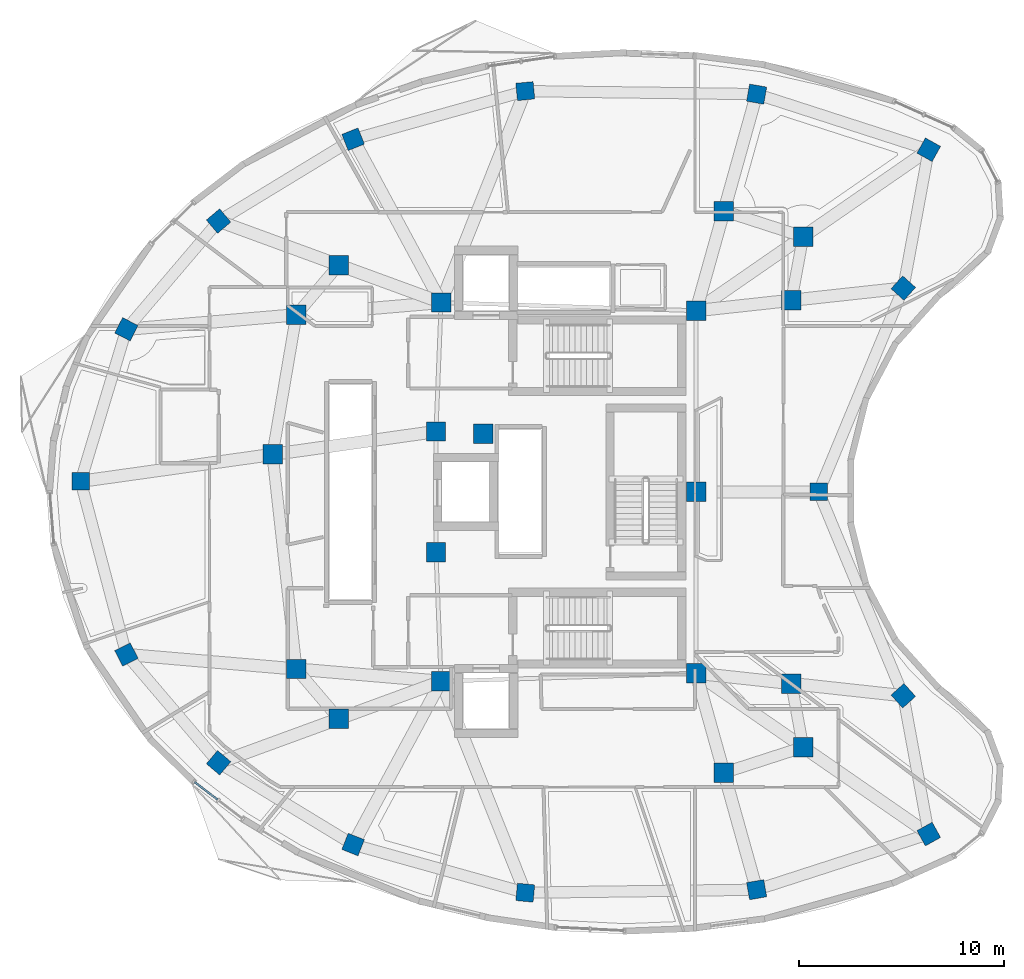
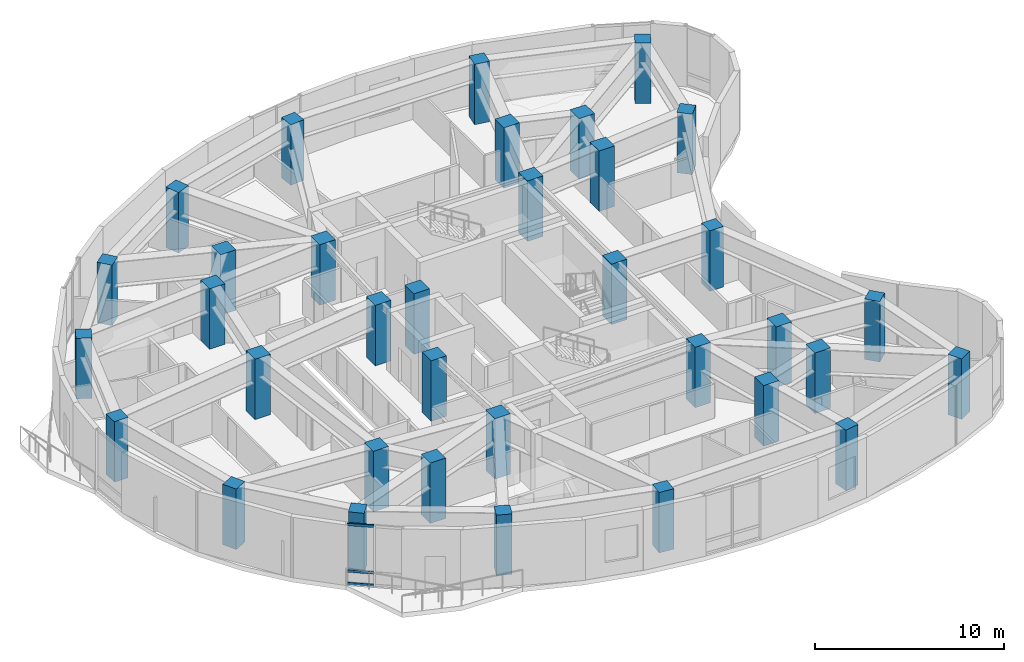
# One storey, part 1 of 13: 35 columns, 3 members, 1 element without a shape of its own.
"""IFC4 building model written with IfcOpenShell, lengths in metres."""

from ifc_helpers import new_model, si_unit, direction, frame, origin, origin_2d, place, context, subcontext, project, spatial, rectangle, extrude, material, layer, layer_set, material_profile, profile_set, type_object, element, aggregate, save


model = new_model("IFC4")

# Units and contexts
model_context = context("Model", 3, precision=1e-05, world=origin(), true_north=direction((0.0, 1.0)))
body_context = subcontext(model_context, "Body", "Model", "MODEL_VIEW")
ifc_project = project(units=[si_unit("LENGTHUNIT", "METRE"), si_unit("AREAUNIT", "SQUARE_METRE"), si_unit("VOLUMEUNIT", "CUBIC_METRE"), si_unit("PLANEANGLEUNIT", "RADIAN"), si_unit("MASSUNIT", "GRAM", prefix="KILO")], contexts=[model_context])

# Site, building, storey
site_placement = place(None, origin())
site = spatial("IfcSite", under=ifc_project, at=site_placement, CompositionType="ELEMENT")
building_placement = place(site_placement, origin())
building = spatial("IfcBuilding", under=site, at=building_placement, Name="Korentha Bioscience Tower", CompositionType="ELEMENT")
storey_placement = place(building_placement, frame((0.0, 0.0, 256.199951171875)))
storey = spatial("IfcBuildingStorey", under=building, at=storey_placement, Name="L59", CompositionType="ELEMENT", Elevation=256.199951171875)

# Columns
ifc_material_1 = material(Name="Concrete C65", Category="concrete")
ifc_material_profile_1 = material_profile(ifc_material_1, rectangle(XDim=0.949951171875, YDim=0.949951171875, at=origin_2d()), Name="Concrete C65")
ifc_profile_set_1 = profile_set([ifc_material_profile_1], Name="Concrete C65 (COL-CP09)")
column_type_1 = type_object("IfcColumnType", Name="Core Pilaster Column RC 950x950", PredefinedType="PILASTER", material=ifc_profile_set_1)
for number, where, z_axis, x_axis, name in (
    (1, (37.550048828125, 35.85009765625, -0.00048828125), (0.0, 0.0, 1.0), (1.0, 0.0, 0.0), "L59 Core Pilaster CP-01"),
    (2, (25.10009765625, 36.25, -0.00048828125), (0.0, 0.0, 1.0), (1.0, 0.0, 0.0), "L59 Core Pilaster CP-02"),
    (3, (24.85009765625, 29.949951171875, -0.00048828125), (0.0, 0.0, 1.0), (1.0, 0.0, 0.0), "L59 Core Pilaster CP-03"),
    (4, (27.14990234375, 29.85009765625, -0.00048828125), (0.0, 0.0, 1.0), (1.0, 0.0, 0.0), "L59 Core Pilaster CP-04"),
    (5, (24.85009765625, 24.050048828125, -0.00048828125), (0.0, 0.0, 1.0), (1.0, 0.0, 0.0), "L59 Core Pilaster CP-05"),
    (6, (25.10009765625, 17.75, -0.00048828125), (0.0, 0.0, 1.0), (1.0, 0.0, 0.0), "L59 Core Pilaster CP-06"),
    (7, (37.550048828125, 18.14990234375, -0.00048828125), (0.0, 0.0, 1.0), (1.0, 0.0, 0.0), "L59 Core Pilaster CP-07"),
    (8, (37.550048828125, 27.0, -0.00048828125), (0.0, 0.0, 1.0), (1.0, 0.0, 0.0), "L59 Core Pilaster CP-08"),
):
    element("IfcColumn", number, at=place(storey_placement, frame(where, z_axis=z_axis, x_axis=x_axis)), inside=storey, type_object=column_type_1, Name=name, PredefinedType="PILASTER", context=body_context, shape_type="SweptSolid", body=[
        extrude(rectangle(XDim=0.949951171875, YDim=0.949951171875, at=origin_2d()), origin(), (0.0, 0.0, 1.0), 3.901123046875),
    ])
ifc_material_profile_2 = material_profile(ifc_material_1, rectangle(XDim=0.949951171875, YDim=0.949951171875, at=origin_2d()), Name="Concrete C65")
ifc_profile_set_2 = profile_set([ifc_material_profile_2], Name="Concrete C65 (COL-MR09)")
column_type_2 = type_object("IfcColumnType", Name="Mid-Ring Lab Column RC 950x950", PredefinedType="COLUMN", material=ifc_profile_set_2)
for number, where, z_axis, x_axis, name in (
    (9, (42.77685546875, 39.464599609375, -0.00048828125), (0.0, 0.0, 1.0), (1.0, 0.0, 0.0), "L59 Mid-Ring Column 01"),
    (10, (38.9111328125, 40.714111328125, -0.00048828125), (0.0, 0.0, 1.0), (1.0, 0.0, 0.0), "L59 Mid-Ring Column 02"),
    (11, (20.102294921875, 38.07861328125, -0.00048828125), (0.0, 0.0, 1.0), (1.0, 0.0, 0.0), "L59 Mid-Ring Column 05"),
    (12, (18.03125, 35.6474609375, -0.00048828125), (0.0, 0.0, 1.0), (1.0, 0.0, 0.0), "L59 Mid-Ring Column 06"),
    (13, (16.868408203125, 28.830322265625, -0.00048828125), (0.0, 0.0, 1.0), (1.0, 0.0, 0.0), "L59 Mid-Ring Column 07"),
    (14, (18.03125, 18.3525390625, -0.00048828125), (0.0, 0.0, 1.0), (1.0, 0.0, 0.0), "L59 Mid-Ring Column 08"),
    (15, (20.102294921875, 15.92138671875, -0.00048828125), (0.0, 0.0, 1.0), (1.0, 0.0, 0.0), "L59 Mid-Ring Column 09"),
    (16, (38.9111328125, 13.285888671875, -0.00048828125), (0.0, 0.0, 1.0), (1.0, 0.0, 0.0), "L59 Mid-Ring Column 12"),
    (17, (42.77685546875, 14.535400390625, -0.00048828125), (0.0, 0.0, 1.0), (1.0, 0.0, 0.0), "L59 Mid-Ring Column 13"),
    (18, (42.205078125, 17.642822265625, -0.00048828125), (0.0, 0.0, 1.0), (1.0, 0.0, 0.0), "L59 Mid-Ring Column 14"),
    (19, (42.205078125, 36.357177734375, -0.00048828125), (0.0, 0.0, 1.0), (1.0, 0.0, 0.0), "L59 Mid-Ring Column 16"),
):
    element("IfcColumn", number, at=place(storey_placement, frame(where, z_axis=z_axis, x_axis=x_axis)), inside=storey, type_object=column_type_2, Name=name, PredefinedType="COLUMN", context=body_context, shape_type="SweptSolid", body=[
        extrude(rectangle(XDim=0.949951171875, YDim=0.949951171875, at=origin_2d()), origin(), (0.0, 0.0, 1.0), 3.901123046875),
    ])
ifc_material_2 = material(Name="Concrete C50", Category="concrete")
ifc_material_profile_3 = material_profile(ifc_material_2, rectangle(XDim=0.85009765625, YDim=0.85009765625, at=origin_2d()), Name="Concrete C50")
ifc_profile_set_3 = profile_set([ifc_material_profile_3], Name="Concrete C50 (COL-P08)")
column_type_3 = type_object("IfcColumnType", Name="Perimeter Column RC 850x850", PredefinedType="COLUMN", material=ifc_profile_set_3)
for number, where, z_axis, x_axis, name in (
    (20, (48.912841796875, 43.707763671875, -0.00048828125), (0.0, 0.0, 1.0), (-0.874535078577, 0.484962262797, 0.0), "L59 Perimeter Column 01"),
    (21, (40.5087890625, 46.423828125, -0.00048828125), (0.0, 0.0, 1.0), (-0.984868307662, 0.173304404339, 0.0), "L59 Perimeter Column 02"),
    (22, (29.209716796875, 46.57080078125, -0.00048828125), (0.0, 0.0, 1.0), (0.995462868748, 0.095150811579, 0.0), "L59 Perimeter Column 03"),
    (23, (20.802978515625, 44.220458984375, -0.00048828125), (0.0, 0.0, 1.0), (0.930225540858, 0.366988341962, 0.0), "L59 Perimeter Column 04"),
    (24, (14.2353515625, 40.225341796875, -0.00048828125), (0.0, 0.0, 1.0), (0.764246456939, 0.644924300253, 0.0), "L59 Perimeter Column 05"),
    (25, (9.7333984375, 34.93994140625, -0.00048828125), (0.0, 0.0, 1.0), (0.453057191132, 0.891481453292, 0.0), "L59 Perimeter Column 06"),
    (26, (7.4990234375, 27.51611328125, -0.00048828125), (0.0, 0.0, 1.0), (0.0, 1.0, 0.0), "L59 Perimeter Column 07"),
    (27, (9.7333984375, 19.06005859375, -0.00048828125), (0.0, 0.0, 1.0), (-0.453057191132, 0.891481453292, 0.0), "L59 Perimeter Column 08"),
    (28, (14.2353515625, 13.774658203125, -0.00048828125), (0.0, 0.0, 1.0), (-0.764246456939, 0.644924300253, 0.0), "L59 Perimeter Column 09"),
    (29, (20.802978515625, 9.779541015625, -0.00048828125), (0.0, 0.0, 1.0), (-0.930225540858, 0.366988341962, 0.0), "L59 Perimeter Column 10"),
    (30, (29.209716796875, 7.42919921875, -0.00048828125), (0.0, 0.0, 1.0), (-0.995462868748, 0.095150811579, 0.0), "L59 Perimeter Column 11"),
    (31, (40.5087890625, 7.576171875, -0.00048828125), (0.0, 0.0, 1.0), (0.984868307662, 0.173304404339, 0.0), "L59 Perimeter Column 12"),
    (32, (48.912841796875, 10.292236328125, -0.00048828125), (0.0, 0.0, 1.0), (0.874535078577, 0.484962262797, 0.0), "L59 Perimeter Column 13"),
    (33, (47.669921875, 17.04736328125, -0.00048828125), (0.0, 0.0, 1.0), (-0.669130606359, 0.743144825477, 0.0), "L59 Perimeter Column 14"),
    (34, (43.536865234375, 27.0, -0.00048828125), (0.0, 0.0, 1.0), (0.0, 1.0, 0.0), "L59 Perimeter Column 15"),
    (35, (47.669921875, 36.95263671875, -0.00048828125), (0.0, 0.0, 1.0), (0.669130606359, 0.743144825477, 0.0), "L59 Perimeter Column 16"),
):
    element("IfcColumn", number, at=place(storey_placement, frame(where, z_axis=z_axis, x_axis=x_axis)), inside=storey, type_object=column_type_3, Name=name, PredefinedType="COLUMN", context=body_context, shape_type="SweptSolid", body=[
        extrude(rectangle(XDim=0.85009765625, YDim=0.85009765625, at=origin_2d()), origin(), (0.0, 0.0, 1.0), 3.901123046875),
    ])

# Curtain wall, members
ifc_material_3 = material(Name="Thermally Broken Aluminium Frame", Category="aluminium")
ifc_layer = layer(ifc_material_3, 0.219970703125, Name="Thermally Broken Aluminium Frame")
ifc_layer_set = layer_set([ifc_layer], Name="Thermally Broken Aluminium Frame (CW-T1)")
curtain_wall_type = type_object("IfcCurtainWallType", Name="Standard Bioscience Lab Unitised Curtain Wall CW-T1", PredefinedType="USERDEFINED", material=ifc_layer_set)
curtain_wall_placement = place(storey_placement, origin())
curtain_wall = element("IfcCurtainWall", 36, at=curtain_wall_placement, inside=storey, type_object=curtain_wall_type, Name="L59 Curtain Wall 25", ObjectType="UNITISED", PredefinedType="USERDEFINED")
ifc_material_4 = material(Name="Anodised Aluminium 6063-T6", Category="aluminium")
ifc_material_profile_4 = material_profile(ifc_material_4, rectangle(XDim=0.090087890625, YDim=0.159912109375, at=origin_2d()), Name="Anodised Aluminium 6063-T6")
ifc_profile_set_4 = profile_set([ifc_material_profile_4], Name="Anodised Aluminium 6063-T6 (CW-TRN)")
member_type = type_object("IfcMemberType", Name="Transom RECT 90x160", PredefinedType="USERDEFINED", material=ifc_profile_set_4)
member_1_placement = place(storey_placement, frame((13.06005859375, 12.835205078125, 0.045166015625), z_axis=(0.794421209833, -0.607367221183, 0.0), x_axis=(0.607367221183, 0.794421209833, 0.0)))
member_1 = element("IfcMember", 37, at=member_1_placement, type_object=member_type, Name="CW-L59-25 Bay 1 Transom 1", ObjectType="TRANSOM", PredefinedType="USERDEFINED", context=body_context, shape_type="SweptSolid", body=[
    extrude(rectangle(XDim=0.090087890625, YDim=0.159912109375, at=origin_2d()), origin(), (0.0, 0.0, 1.0), 1.42138671875),
])
member_2_placement = place(storey_placement, frame((13.06005859375, 12.835205078125, 0.85009765625), z_axis=(0.794421209833, -0.607367221183, 0.0), x_axis=(0.607367221183, 0.794421209833, 0.0)))
member_2 = element("IfcMember", 38, at=member_2_placement, type_object=member_type, Name="CW-L59-25 Bay 1 Transom 2", ObjectType="TRANSOM", PredefinedType="USERDEFINED", context=body_context, shape_type="SweptSolid", body=[
    extrude(rectangle(XDim=0.090087890625, YDim=0.159912109375, at=origin_2d()), origin(), (0.0, 0.0, 1.0), 1.42138671875),
])
member_3_placement = place(storey_placement, frame((13.06005859375, 12.835205078125, 3.85498046875), z_axis=(0.794421209833, -0.607367221183, 0.0), x_axis=(0.607367221183, 0.794421209833, 0.0)))
member_3 = element("IfcMember", 39, at=member_3_placement, type_object=member_type, Name="CW-L59-25 Bay 1 Transom 3", ObjectType="TRANSOM", PredefinedType="USERDEFINED", context=body_context, shape_type="SweptSolid", body=[
    extrude(rectangle(XDim=0.090087890625, YDim=0.159912109375, at=origin_2d()), origin(), (0.0, 0.0, 1.0), 1.42138671875),
])
aggregate(curtain_wall, [member_1, member_2, member_3])

save(model, "model.ifc")
